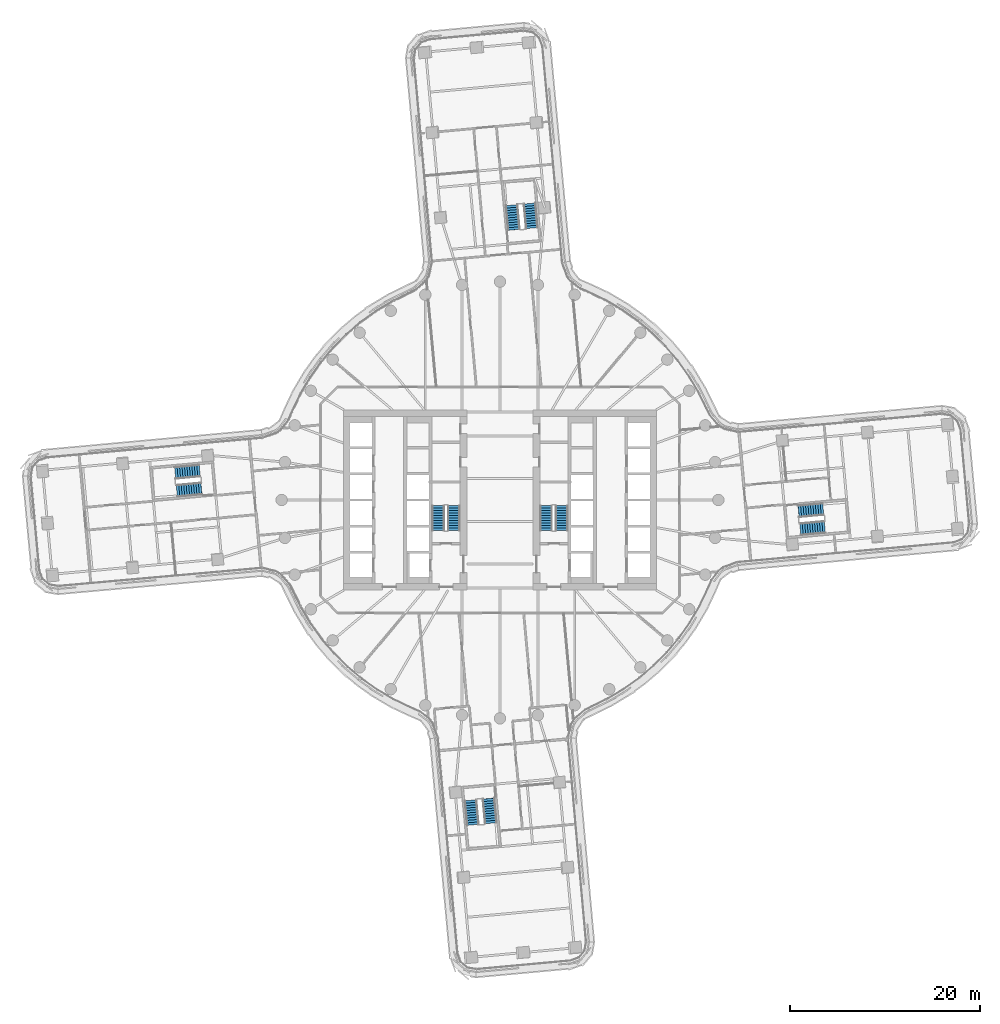
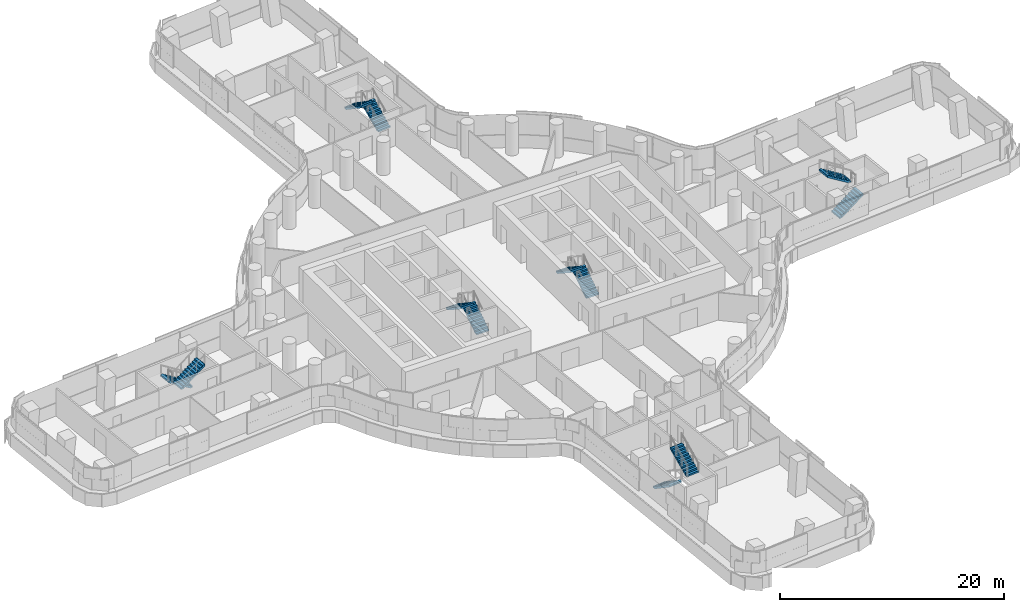
# One storey, part 24 of 31: 12 stair flights, 6 elements without a shape of their own.
"""IFC4 building model written with IfcOpenShell, lengths in metres."""

from ifc_helpers import new_model, si_unit, direction, frame, origin, place, context, subcontext, project, spatial, polyline, outline, extrude, material, type_object, element, aggregate, save


model = new_model("IFC4")

# Units and contexts
model_context = context("Model", 3, precision=1e-05, world=origin(), true_north=direction((0.0, 1.0)))
body_context = subcontext(model_context, "Body", "Model", "MODEL_VIEW")
ifc_project = project(units=[si_unit("LENGTHUNIT", "METRE"), si_unit("AREAUNIT", "SQUARE_METRE"), si_unit("VOLUMEUNIT", "CUBIC_METRE"), si_unit("PLANEANGLEUNIT", "RADIAN"), si_unit("MASSUNIT", "GRAM", prefix="KILO")], contexts=[model_context])

# Site, building, storey
site_placement = place(None, origin())
site = spatial("IfcSite", under=ifc_project, at=site_placement, CompositionType="ELEMENT")
building_placement = place(site_placement, origin())
building = spatial("IfcBuilding", under=site, at=building_placement, Name="Tamarind Cross Interchange Tower", CompositionType="ELEMENT")
storey_placement = place(building_placement, frame((0.0, 0.0, 52.75)))
storey = spatial("IfcBuildingStorey", under=building, at=storey_placement, Name="L11", CompositionType="ELEMENT", Elevation=52.75)

# Stair, stair flights
ifc_material_1 = material(Name="Exit stair")
stair_type = type_object("IfcStairType", Name="Exit stair", PredefinedType="HALF_TURN_STAIR", material=ifc_material_1)
stair_1_placement = place(storey_placement, origin())
stair_1 = element("IfcStair", 1, at=stair_1_placement, inside=storey, type_object=stair_type, Name="L11 exit stair ST1", PredefinedType="HALF_TURN_STAIR")
ifc_material_2 = material(Name="Exit stair flight")
stair_flight_type = type_object("IfcStairFlightType", Name="Exit stair flight", PredefinedType="STRAIGHT", material=ifc_material_2)
stair_flight_1_placement = place(storey_placement, frame((-4.85009765625, -3.199951171875, 0.0), z_axis=(0.0, 0.0, 1.0), x_axis=(0.0, 1.0, 0.0)))
stair_flight_1 = element("IfcStairFlight", 2, at=stair_flight_1_placement, type_object=stair_flight_type, Name="ST1 flight 1", NumberOfRisers=11, NumberOfTreads=10, PredefinedType="STRAIGHT", RiserHeight=0.170454545, TreadLength=0.26, context=body_context, shape_type="SweptSolid", body=[
    extrude(outline(polyline([(0.0, 0.0), (0.0, 0.17041015625), (0.260009765625, 0.17041015625), (0.260009765625, 0.3408203125), (0.52001953125, 0.3408203125), (0.52001953125, 0.511474609375), (0.780029296875, 0.511474609375), (0.780029296875, 0.681884765625), (1.0400390625, 0.681884765625), (1.0400390625, 0.852294921875), (1.300048828125, 0.852294921875), (1.300048828125, 1.022705078125), (1.56005859375, 1.022705078125), (1.56005859375, 1.193115234375), (1.820068359375, 1.193115234375), (1.820068359375, 1.363525390625), (2.080078125, 1.363525390625), (2.080078125, 1.5341796875), (2.340087890625, 1.5341796875), (2.340087890625, 1.70458984375), (2.60009765625, 1.70458984375), (2.60009765625, 1.875), (2.60009765625, 1.525390625), (0.2734375, 0.0), (0.0, 0.0)])), frame((0.0, 0.64990234375, 0.0), z_axis=(0.0, -1.0, 0.0), x_axis=(1.0, 0.0, 0.0)), (0.0, 0.0, 1.0), 1.300048828125),
])
stair_flight_2_placement = place(storey_placement, frame((-6.5, -0.60009765625, 1.875), z_axis=(0.0, 0.0, 1.0), x_axis=(0.0, -1.0, 0.0)))
stair_flight_2 = element("IfcStairFlight", 3, at=stair_flight_2_placement, type_object=stair_flight_type, Name="ST1 flight 2", NumberOfRisers=11, NumberOfTreads=10, PredefinedType="STRAIGHT", RiserHeight=0.170454545, TreadLength=0.26, context=body_context, shape_type="SweptSolid", body=[
    extrude(outline(polyline([(0.0, 0.0), (0.0, 0.17041015625), (0.260009765625, 0.17041015625), (0.260009765625, 0.3408203125), (0.52001953125, 0.3408203125), (0.52001953125, 0.511474609375), (0.780029296875, 0.511474609375), (0.780029296875, 0.681884765625), (1.0400390625, 0.681884765625), (1.0400390625, 0.852294921875), (1.300048828125, 0.852294921875), (1.300048828125, 1.022705078125), (1.56005859375, 1.022705078125), (1.56005859375, 1.193115234375), (1.820068359375, 1.193115234375), (1.820068359375, 1.363525390625), (2.080078125, 1.363525390625), (2.080078125, 1.5341796875), (2.340087890625, 1.5341796875), (2.340087890625, 1.70458984375), (2.60009765625, 1.70458984375), (2.60009765625, 1.7548828125), (2.612060546875, 1.7548828125), (2.612060546875, 1.533203125), (0.2734375, 0.0), (0.0, 0.0)])), frame((0.0, 0.64990234375, 0.0), z_axis=(0.0, -1.0, 0.0), x_axis=(1.0, 0.0, 0.0)), (0.0, 0.0, 1.0), 1.300048828125),
])
aggregate(stair_1, [stair_flight_1, stair_flight_2])

stair_2_placement = place(storey_placement, origin())
stair_2 = element("IfcStair", 4, at=stair_2_placement, inside=storey, type_object=stair_type, Name="L11 exit stair ST2", PredefinedType="HALF_TURN_STAIR")
stair_flight_3_placement = place(storey_placement, frame((6.5, -3.199951171875, 0.0), z_axis=(0.0, 0.0, 1.0), x_axis=(0.0, 1.0, 0.0)))
stair_flight_3 = element("IfcStairFlight", 5, at=stair_flight_3_placement, type_object=stair_flight_type, Name="ST2 flight 1", NumberOfRisers=11, NumberOfTreads=10, PredefinedType="STRAIGHT", RiserHeight=0.170454545, TreadLength=0.26, context=body_context, shape_type="SweptSolid", body=[
    extrude(outline(polyline([(0.0, 0.0), (0.0, 0.17041015625), (0.260009765625, 0.17041015625), (0.260009765625, 0.3408203125), (0.52001953125, 0.3408203125), (0.52001953125, 0.511474609375), (0.780029296875, 0.511474609375), (0.780029296875, 0.681884765625), (1.0400390625, 0.681884765625), (1.0400390625, 0.852294921875), (1.300048828125, 0.852294921875), (1.300048828125, 1.022705078125), (1.56005859375, 1.022705078125), (1.56005859375, 1.193115234375), (1.820068359375, 1.193115234375), (1.820068359375, 1.363525390625), (2.080078125, 1.363525390625), (2.080078125, 1.5341796875), (2.340087890625, 1.5341796875), (2.340087890625, 1.70458984375), (2.60009765625, 1.70458984375), (2.60009765625, 1.875), (2.60009765625, 1.525390625), (0.2734375, 0.0), (0.0, 0.0)])), frame((0.0, 0.64990234375, 0.0), z_axis=(0.0, -1.0, 0.0), x_axis=(1.0, 0.0, 0.0)), (0.0, 0.0, 1.0), 1.300048828125),
])
stair_flight_4_placement = place(storey_placement, frame((4.85009765625, -0.60009765625, 1.875), z_axis=(0.0, 0.0, 1.0), x_axis=(0.0, -1.0, 0.0)))
stair_flight_4 = element("IfcStairFlight", 6, at=stair_flight_4_placement, type_object=stair_flight_type, Name="ST2 flight 2", NumberOfRisers=11, NumberOfTreads=10, PredefinedType="STRAIGHT", RiserHeight=0.170454545, TreadLength=0.26, context=body_context, shape_type="SweptSolid", body=[
    extrude(outline(polyline([(0.0, 0.0), (0.0, 0.17041015625), (0.260009765625, 0.17041015625), (0.260009765625, 0.3408203125), (0.52001953125, 0.3408203125), (0.52001953125, 0.511474609375), (0.780029296875, 0.511474609375), (0.780029296875, 0.681884765625), (1.0400390625, 0.681884765625), (1.0400390625, 0.852294921875), (1.300048828125, 0.852294921875), (1.300048828125, 1.022705078125), (1.56005859375, 1.022705078125), (1.56005859375, 1.193115234375), (1.820068359375, 1.193115234375), (1.820068359375, 1.363525390625), (2.080078125, 1.363525390625), (2.080078125, 1.5341796875), (2.340087890625, 1.5341796875), (2.340087890625, 1.70458984375), (2.60009765625, 1.70458984375), (2.60009765625, 1.7548828125), (2.612060546875, 1.7548828125), (2.612060546875, 1.533203125), (0.2734375, 0.0), (0.0, 0.0)])), frame((0.0, 0.64990234375, 0.0), z_axis=(0.0, -1.0, 0.0), x_axis=(1.0, 0.0, 0.0)), (0.0, 0.0, 1.0), 1.300048828125),
])
aggregate(stair_2, [stair_flight_3, stair_flight_4])

stair_3_placement = place(storey_placement, origin())
stair_3 = element("IfcStair", 7, at=stair_3_placement, inside=storey, type_object=stair_type, Name="L11 exit stair ST3", PredefinedType="HALF_TURN_STAIR")
stair_flight_5_placement = place(storey_placement, frame((31.62109375, -3.0869140625, 0.0), z_axis=(0.0, 0.0, 1.0), x_axis=(0.995846347162, 0.091049727316, 0.0)))
stair_flight_5 = element("IfcStairFlight", 8, at=stair_flight_5_placement, type_object=stair_flight_type, Name="ST3 flight 1", NumberOfRisers=11, NumberOfTreads=10, PredefinedType="STRAIGHT", RiserHeight=0.170454545, TreadLength=0.26, context=body_context, shape_type="SweptSolid", body=[
    extrude(outline(polyline([(0.0, 0.0), (0.0, 0.17041015625), (0.260009765625, 0.17041015625), (0.260009765625, 0.3408203125), (0.52001953125, 0.3408203125), (0.52001953125, 0.511474609375), (0.780029296875, 0.511474609375), (0.780029296875, 0.681884765625), (1.0400390625, 0.681884765625), (1.0400390625, 0.852294921875), (1.300048828125, 0.852294921875), (1.300048828125, 1.022705078125), (1.56005859375, 1.022705078125), (1.56005859375, 1.193115234375), (1.820068359375, 1.193115234375), (1.820068359375, 1.363525390625), (2.080078125, 1.363525390625), (2.080078125, 1.5341796875), (2.340087890625, 1.5341796875), (2.340087890625, 1.70458984375), (2.60009765625, 1.70458984375), (2.60009765625, 1.875), (2.60009765625, 1.525390625), (0.2734375, 0.0), (0.0, 0.0)])), frame((0.0, 0.64990234375, 0.0), z_axis=(0.0, -1.0, 0.0), x_axis=(1.0, 0.0, 0.0)), (0.0, 0.0, 1.0), 1.300048828125),
])
stair_flight_6_placement = place(storey_placement, frame((34.037109375, -0.9580078125, 1.875), z_axis=(0.0, 0.0, 1.0), x_axis=(-0.995846347162, -0.091049727316, 0.0)))
stair_flight_6 = element("IfcStairFlight", 9, at=stair_flight_6_placement, type_object=stair_flight_type, Name="ST3 flight 2", NumberOfRisers=11, NumberOfTreads=10, PredefinedType="STRAIGHT", RiserHeight=0.170454545, TreadLength=0.26, context=body_context, shape_type="SweptSolid", body=[
    extrude(outline(polyline([(0.0, 0.0), (0.0, 0.17041015625), (0.260009765625, 0.17041015625), (0.260009765625, 0.3408203125), (0.52001953125, 0.3408203125), (0.52001953125, 0.511474609375), (0.780029296875, 0.511474609375), (0.780029296875, 0.681884765625), (1.0400390625, 0.681884765625), (1.0400390625, 0.852294921875), (1.300048828125, 0.852294921875), (1.300048828125, 1.022705078125), (1.56005859375, 1.022705078125), (1.56005859375, 1.193115234375), (1.820068359375, 1.193115234375), (1.820068359375, 1.363525390625), (2.080078125, 1.363525390625), (2.080078125, 1.5341796875), (2.340087890625, 1.5341796875), (2.340087890625, 1.70458984375), (2.60009765625, 1.70458984375), (2.60009765625, 1.7548828125), (2.612060546875, 1.7548828125), (2.612060546875, 1.533203125), (0.2734375, 0.0), (0.0, 0.0)])), frame((0.0, 0.64990234375, 0.0), z_axis=(0.0, -1.0, 0.0), x_axis=(1.0, 0.0, 0.0)), (0.0, 0.0, 1.0), 1.300048828125),
])
aggregate(stair_3, [stair_flight_5, stair_flight_6])

stair_4_placement = place(storey_placement, origin())
stair_4 = element("IfcStair", 10, at=stair_4_placement, inside=storey, type_object=stair_type, Name="L11 exit stair ST4", PredefinedType="HALF_TURN_STAIR")
stair_flight_7_placement = place(storey_placement, frame((3.35986328125, 28.633544921875, 0.0), z_axis=(0.0, 0.0, 1.0), x_axis=(-0.091049727316, 0.995846347162, 0.0)))
stair_flight_7 = element("IfcStairFlight", 11, at=stair_flight_7_placement, type_object=stair_flight_type, Name="ST4 flight 1", NumberOfRisers=11, NumberOfTreads=10, PredefinedType="STRAIGHT", RiserHeight=0.170454545, TreadLength=0.26, context=body_context, shape_type="SweptSolid", body=[
    extrude(outline(polyline([(0.0, 0.0), (0.0, 0.17041015625), (0.260009765625, 0.17041015625), (0.260009765625, 0.3408203125), (0.52001953125, 0.3408203125), (0.52001953125, 0.511474609375), (0.780029296875, 0.511474609375), (0.780029296875, 0.681884765625), (1.0400390625, 0.681884765625), (1.0400390625, 0.852294921875), (1.300048828125, 0.852294921875), (1.300048828125, 1.022705078125), (1.56005859375, 1.022705078125), (1.56005859375, 1.193115234375), (1.820068359375, 1.193115234375), (1.820068359375, 1.363525390625), (2.080078125, 1.363525390625), (2.080078125, 1.5341796875), (2.340087890625, 1.5341796875), (2.340087890625, 1.70458984375), (2.60009765625, 1.70458984375), (2.60009765625, 1.875), (2.60009765625, 1.525390625), (0.2734375, 0.0), (0.0, 0.0)])), frame((0.0, 0.64990234375, 0.0), z_axis=(0.0, -1.0, 0.0), x_axis=(1.0, 0.0, 0.0)), (0.0, 0.0, 1.0), 1.300048828125),
])
stair_flight_8_placement = place(storey_placement, frame((1.231201171875, 31.0498046875, 1.875), z_axis=(0.0, 0.0, 1.0), x_axis=(0.091049727316, -0.995846347162, 0.0)))
stair_flight_8 = element("IfcStairFlight", 12, at=stair_flight_8_placement, type_object=stair_flight_type, Name="ST4 flight 2", NumberOfRisers=11, NumberOfTreads=10, PredefinedType="STRAIGHT", RiserHeight=0.170454545, TreadLength=0.26, context=body_context, shape_type="SweptSolid", body=[
    extrude(outline(polyline([(0.0, 0.0), (0.0, 0.17041015625), (0.260009765625, 0.17041015625), (0.260009765625, 0.3408203125), (0.52001953125, 0.3408203125), (0.52001953125, 0.511474609375), (0.780029296875, 0.511474609375), (0.780029296875, 0.681884765625), (1.0400390625, 0.681884765625), (1.0400390625, 0.852294921875), (1.300048828125, 0.852294921875), (1.300048828125, 1.022705078125), (1.56005859375, 1.022705078125), (1.56005859375, 1.193115234375), (1.820068359375, 1.193115234375), (1.820068359375, 1.363525390625), (2.080078125, 1.363525390625), (2.080078125, 1.5341796875), (2.340087890625, 1.5341796875), (2.340087890625, 1.70458984375), (2.60009765625, 1.70458984375), (2.60009765625, 1.7548828125), (2.612060546875, 1.7548828125), (2.612060546875, 1.533203125), (0.2734375, 0.0), (0.0, 0.0)])), frame((0.0, 0.64990234375, 0.0), z_axis=(0.0, -1.0, 0.0), x_axis=(1.0, 0.0, 0.0)), (0.0, 0.0, 1.0), 1.300048828125),
])
aggregate(stair_4, [stair_flight_7, stair_flight_8])

stair_5_placement = place(storey_placement, origin())
stair_5 = element("IfcStair", 13, at=stair_5_placement, inside=storey, type_object=stair_type, Name="L11 exit stair ST5", PredefinedType="HALF_TURN_STAIR")
stair_flight_9_placement = place(storey_placement, frame((-31.62109375, 3.0869140625, 0.0), z_axis=(0.0, 0.0, 1.0), x_axis=(-0.995846347162, -0.091049727316, 0.0)))
stair_flight_9 = element("IfcStairFlight", 14, at=stair_flight_9_placement, type_object=stair_flight_type, Name="ST5 flight 1", NumberOfRisers=11, NumberOfTreads=10, PredefinedType="STRAIGHT", RiserHeight=0.170454545, TreadLength=0.26, context=body_context, shape_type="SweptSolid", body=[
    extrude(outline(polyline([(0.0, 0.0), (0.0, 0.17041015625), (0.260009765625, 0.17041015625), (0.260009765625, 0.3408203125), (0.52001953125, 0.3408203125), (0.52001953125, 0.511474609375), (0.780029296875, 0.511474609375), (0.780029296875, 0.681884765625), (1.0400390625, 0.681884765625), (1.0400390625, 0.852294921875), (1.300048828125, 0.852294921875), (1.300048828125, 1.022705078125), (1.56005859375, 1.022705078125), (1.56005859375, 1.193115234375), (1.820068359375, 1.193115234375), (1.820068359375, 1.363525390625), (2.080078125, 1.363525390625), (2.080078125, 1.5341796875), (2.340087890625, 1.5341796875), (2.340087890625, 1.70458984375), (2.60009765625, 1.70458984375), (2.60009765625, 1.875), (2.60009765625, 1.525390625), (0.2734375, 0.0), (0.0, 0.0)])), frame((0.0, 0.64990234375, 0.0), z_axis=(0.0, -1.0, 0.0), x_axis=(1.0, 0.0, 0.0)), (0.0, 0.0, 1.0), 1.300048828125),
])
stair_flight_10_placement = place(storey_placement, frame((-34.037109375, 0.9580078125, 1.875), z_axis=(0.0, 0.0, 1.0), x_axis=(0.995846347162, 0.091049727316, 0.0)))
stair_flight_10 = element("IfcStairFlight", 15, at=stair_flight_10_placement, type_object=stair_flight_type, Name="ST5 flight 2", NumberOfRisers=11, NumberOfTreads=10, PredefinedType="STRAIGHT", RiserHeight=0.170454545, TreadLength=0.26, context=body_context, shape_type="SweptSolid", body=[
    extrude(outline(polyline([(0.0, 0.0), (0.0, 0.17041015625), (0.260009765625, 0.17041015625), (0.260009765625, 0.3408203125), (0.52001953125, 0.3408203125), (0.52001953125, 0.511474609375), (0.780029296875, 0.511474609375), (0.780029296875, 0.681884765625), (1.0400390625, 0.681884765625), (1.0400390625, 0.852294921875), (1.300048828125, 0.852294921875), (1.300048828125, 1.022705078125), (1.56005859375, 1.022705078125), (1.56005859375, 1.193115234375), (1.820068359375, 1.193115234375), (1.820068359375, 1.363525390625), (2.080078125, 1.363525390625), (2.080078125, 1.5341796875), (2.340087890625, 1.5341796875), (2.340087890625, 1.70458984375), (2.60009765625, 1.70458984375), (2.60009765625, 1.7548828125), (2.612060546875, 1.7548828125), (2.612060546875, 1.533203125), (0.2734375, 0.0), (0.0, 0.0)])), frame((0.0, 0.64990234375, 0.0), z_axis=(0.0, -1.0, 0.0), x_axis=(1.0, 0.0, 0.0)), (0.0, 0.0, 1.0), 1.300048828125),
])
aggregate(stair_5, [stair_flight_9, stair_flight_10])

stair_6_placement = place(storey_placement, origin())
stair_6 = element("IfcStair", 16, at=stair_6_placement, inside=storey, type_object=stair_type, Name="L11 exit stair ST6", PredefinedType="HALF_TURN_STAIR")
stair_flight_11_placement = place(storey_placement, frame((-3.0869140625, -31.62109375, 0.0), z_axis=(0.0, 0.0, 1.0), x_axis=(0.091049727316, -0.995846347162, 0.0)))
stair_flight_11 = element("IfcStairFlight", 17, at=stair_flight_11_placement, type_object=stair_flight_type, Name="ST6 flight 1", NumberOfRisers=11, NumberOfTreads=10, PredefinedType="STRAIGHT", RiserHeight=0.170454545, TreadLength=0.26, context=body_context, shape_type="SweptSolid", body=[
    extrude(outline(polyline([(0.0, 0.0), (0.0, 0.17041015625), (0.260009765625, 0.17041015625), (0.260009765625, 0.3408203125), (0.52001953125, 0.3408203125), (0.52001953125, 0.511474609375), (0.780029296875, 0.511474609375), (0.780029296875, 0.681884765625), (1.0400390625, 0.681884765625), (1.0400390625, 0.852294921875), (1.300048828125, 0.852294921875), (1.300048828125, 1.022705078125), (1.56005859375, 1.022705078125), (1.56005859375, 1.193115234375), (1.820068359375, 1.193115234375), (1.820068359375, 1.363525390625), (2.080078125, 1.363525390625), (2.080078125, 1.5341796875), (2.340087890625, 1.5341796875), (2.340087890625, 1.70458984375), (2.60009765625, 1.70458984375), (2.60009765625, 1.875), (2.60009765625, 1.525390625), (0.2734375, 0.0), (0.0, 0.0)])), frame((0.0, 0.64990234375, 0.0), z_axis=(0.0, -1.0, 0.0), x_axis=(1.0, 0.0, 0.0)), (0.0, 0.0, 1.0), 1.300048828125),
])
stair_flight_12_placement = place(storey_placement, frame((-0.9580078125, -34.037109375, 1.875), z_axis=(0.0, 0.0, 1.0), x_axis=(-0.091049727316, 0.995846347162, 0.0)))
stair_flight_12 = element("IfcStairFlight", 18, at=stair_flight_12_placement, type_object=stair_flight_type, Name="ST6 flight 2", NumberOfRisers=11, NumberOfTreads=10, PredefinedType="STRAIGHT", RiserHeight=0.170454545, TreadLength=0.26, context=body_context, shape_type="SweptSolid", body=[
    extrude(outline(polyline([(0.0, 0.0), (0.0, 0.17041015625), (0.260009765625, 0.17041015625), (0.260009765625, 0.3408203125), (0.52001953125, 0.3408203125), (0.52001953125, 0.511474609375), (0.780029296875, 0.511474609375), (0.780029296875, 0.681884765625), (1.0400390625, 0.681884765625), (1.0400390625, 0.852294921875), (1.300048828125, 0.852294921875), (1.300048828125, 1.022705078125), (1.56005859375, 1.022705078125), (1.56005859375, 1.193115234375), (1.820068359375, 1.193115234375), (1.820068359375, 1.363525390625), (2.080078125, 1.363525390625), (2.080078125, 1.5341796875), (2.340087890625, 1.5341796875), (2.340087890625, 1.70458984375), (2.60009765625, 1.70458984375), (2.60009765625, 1.7548828125), (2.612060546875, 1.7548828125), (2.612060546875, 1.533203125), (0.2734375, 0.0), (0.0, 0.0)])), frame((0.0, 0.64990234375, 0.0), z_axis=(0.0, -1.0, 0.0), x_axis=(1.0, 0.0, 0.0)), (0.0, 0.0, 1.0), 1.300048828125),
])
aggregate(stair_6, [stair_flight_11, stair_flight_12])

save(model, "model.ifc")
